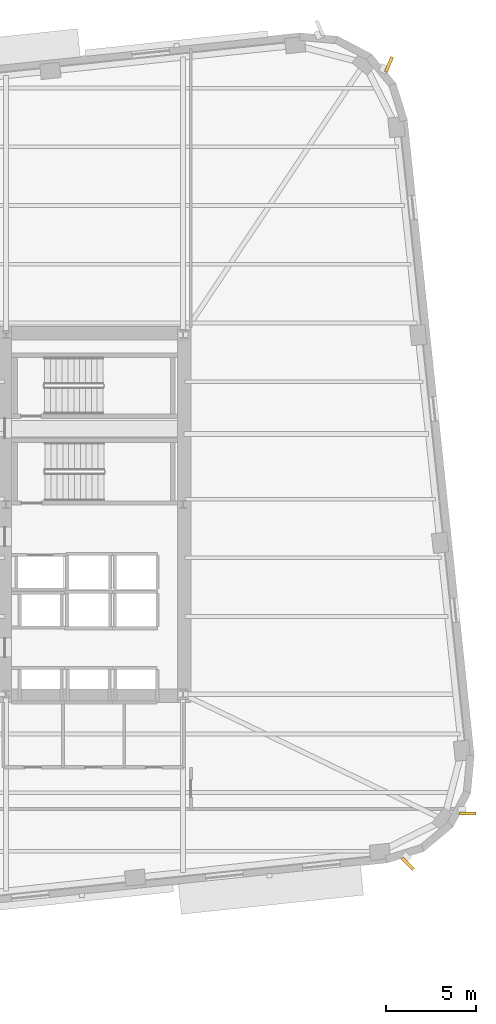
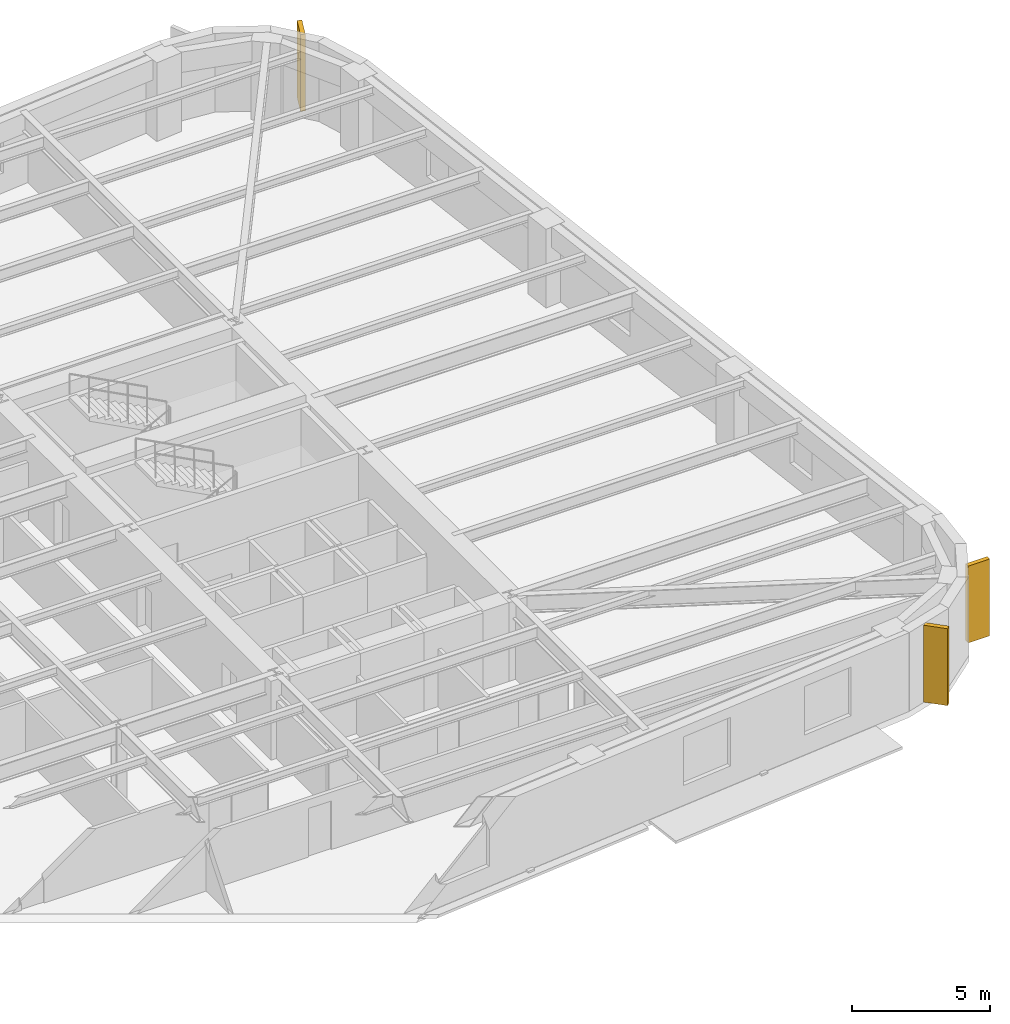
# One storey, part 14 of 14: 3 shading devices.
"""IFC4 building model written with IfcOpenShell, lengths in metres."""

from ifc_helpers import new_model, si_unit, direction, frame, origin, origin_2d, place, context, subcontext, project, spatial, rectangle, extrude, material, type_object, element, save


model = new_model("IFC4")

# Units and contexts
model_context = context("Model", 3, precision=1e-05, world=origin(), true_north=direction((0.0, 1.0)))
body_context = subcontext(model_context, "Body", "Model", "MODEL_VIEW")
ifc_project = project(units=[si_unit("LENGTHUNIT", "METRE"), si_unit("AREAUNIT", "SQUARE_METRE"), si_unit("VOLUMEUNIT", "CUBIC_METRE"), si_unit("PLANEANGLEUNIT", "RADIAN"), si_unit("MASSUNIT", "GRAM", prefix="KILO")], contexts=[model_context])

# Site, building, storey
site_placement = place(None, origin())
site = spatial("IfcSite", under=ifc_project, at=site_placement, CompositionType="ELEMENT")
building_placement = place(site_placement, origin())
building = spatial("IfcBuilding", under=site, at=building_placement, Name="Kolvaren Arena Tower", CompositionType="ELEMENT")
storey_placement = place(building_placement, frame((0.0, 0.0, 130.75)))
storey = spatial("IfcBuildingStorey", under=building, at=storey_placement, Name="L30", CompositionType="ELEMENT", Elevation=130.75)

# Shading devices
ifc_material = material(Name="Precast architectural concrete C50/60 rib fin", Category="concrete")
shading_device_type = type_object("IfcShadingDeviceType", Name="SHAD-FIN-28", PredefinedType="USERDEFINED", material=ifc_material)
for number, where, z_axis, x_axis, name in (
    (1, (72.7763671875, 10.080078125, 0.02001953125), (0.0, 0.0, 1.0), (0.710184146885, -0.704015963962, 0.0), "Precast 28-Deg Corner Rib Fin (L30)"),
    (2, (76.1044921875, 12.848388671875, 0.02001953125), (0.0, 0.0, 1.0), (0.999990541547, 0.004349346783, 0.0), "Precast 28-Deg Corner Rib Fin (L30)"),
    (3, (71.747314453125, 54.304931640625, 0.02001953125), (0.0, 0.0, 1.0), (0.378634078949, 0.925546451702, 0.0), "Precast 28-Deg Corner Rib Fin (L30)"),
):
    element("IfcShadingDevice", number, at=place(storey_placement, frame(where, z_axis=z_axis, x_axis=x_axis)), inside=storey, type_object=shading_device_type, Name=name, ObjectType="FIN", PredefinedType="USERDEFINED", context=body_context, shape_type="SweptSolid", body=[
        extrude(rectangle(XDim=0.89990234375, YDim=0.179931640625, at=origin_2d()), origin(), (0.0, 0.0, 1.0), 3.39990234375),
    ])

save(model, "model.ifc")
